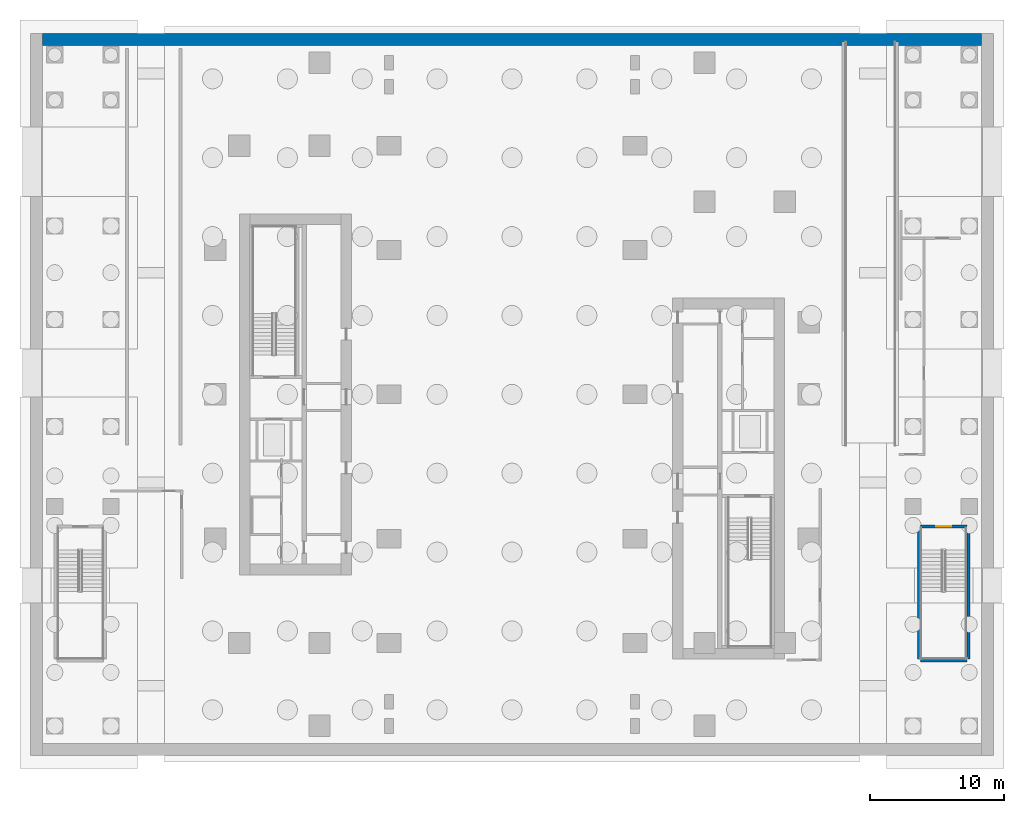
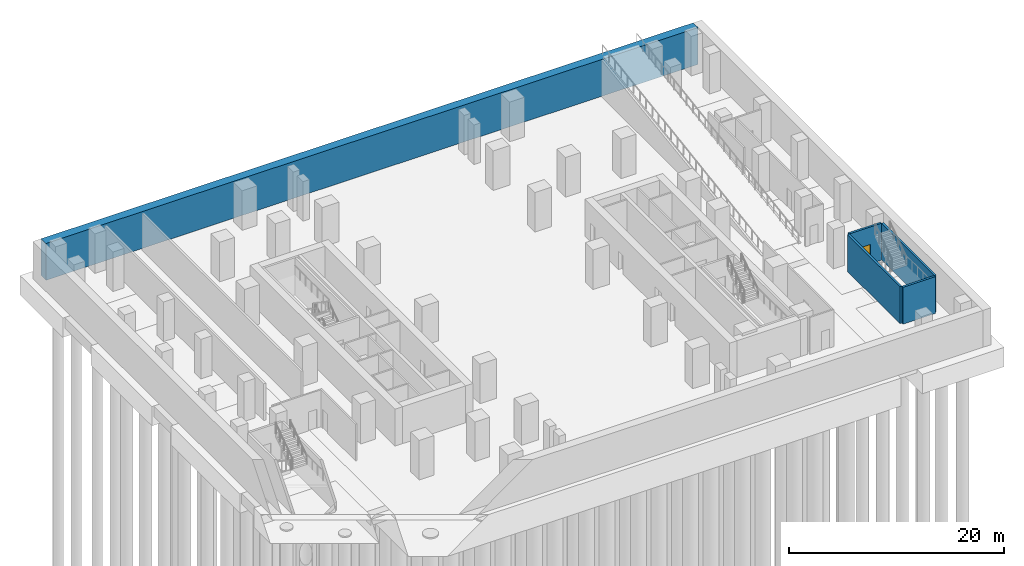
# One storey, part 6 of 15: 5 walls, 1 door, 1 opening.
"""IFC4 building model written with IfcOpenShell, lengths in metres."""

from ifc_helpers import new_model, si_unit, direction, frame, frame_2d, origin, place, context, subcontext, project, spatial, rectangle, extrude, material, layer, layer_set, type_object, element, fill, save


model = new_model("IFC4")

# Units and contexts
model_context = context("Model", 3, precision=1e-05, world=origin(), true_north=direction((0.0, 1.0)))
body_context = subcontext(model_context, "Body", "Model", "MODEL_VIEW")
ifc_project = project(units=[si_unit("LENGTHUNIT", "METRE"), si_unit("AREAUNIT", "SQUARE_METRE"), si_unit("VOLUMEUNIT", "CUBIC_METRE"), si_unit("PLANEANGLEUNIT", "RADIAN"), si_unit("MASSUNIT", "GRAM", prefix="KILO")], contexts=[model_context])

# Site, building, storey
site_placement = place(None, origin())
site = spatial("IfcSite", under=ifc_project, at=site_placement, CompositionType="ELEMENT")
building_placement = place(site_placement, origin())
building = spatial("IfcBuilding", under=site, at=building_placement, Name="Khairoan Windgate Tower", CompositionType="ELEMENT")
storey_placement = place(building_placement, frame((0.0, 0.0, -9.0)))
storey = spatial("IfcBuildingStorey", under=building, at=storey_placement, Name="B2", CompositionType="ELEMENT", Elevation=-9.0)

# Wall
ifc_material_1 = material(Name="Concrete C50/60", Category="concrete")
ifc_layer_1 = layer(ifc_material_1, 0.89990234375, Name="Concrete C50/60")
ifc_layer_set_1 = layer_set([ifc_layer_1], Name="Concrete C50/60")
wall_type_1 = type_object("IfcWallType", Name="Shear Wall DW-B1 900mm", PredefinedType="SHEAR", material=ifc_layer_set_1)
wall_1_placement = place(storey_placement, frame((-35.10009765625, 26.550048828125, 0.0), z_axis=(0.0, 0.0, 1.0), x_axis=(1.0, 0.0, 0.0)))
element("IfcWall", 1, at=wall_1_placement, inside=storey, type_object=wall_type_1, Name="North Diaphragm Wall B2", PredefinedType="SHEAR", context=body_context, shape_type="SweptSolid", body=[
    extrude(rectangle(XDim=70.2001953125, YDim=0.89990234375, at=frame_2d((35.10009765625, 0.0))), origin(), (0.0, 0.0, 1.0), 4.199951171875),
])

# Wall, opening, door
ifc_material_2 = material(Name="Concrete C50/60", Category="concrete")
ifc_layer_2 = layer(ifc_material_2, 0.219970703125, Name="Concrete C50/60")
ifc_layer_set_2 = layer_set([ifc_layer_2], Name="Concrete C50/60")
wall_type_2 = type_object("IfcWallType", Name="Shear Wall SW-ST 220mm", PredefinedType="SHEAR", material=ifc_layer_set_2)
wall_2_placement = place(storey_placement, frame((34.02001953125, -9.889892578125, 0.0), z_axis=(0.0, 0.0, 1.0), x_axis=(-1.0, 0.0, 0.0)))
wall_2 = element("IfcWall", 2, at=wall_2_placement, inside=storey, type_object=wall_type_2, Name="B2 ST3 North Bearing Wall", PredefinedType="SHEAR", context=body_context, shape_type="SweptSolid", body=[
    extrude(rectangle(XDim=3.469970703125, YDim=0.219970703125, at=frame_2d((1.73486328125, 0.0))), origin(), (0.0, 0.0, 1.0), 4.199951171875),
])
opening_placement = place(wall_2_placement, frame((1.179931640625, 0.0, 0.0)))
opening = element("IfcOpeningElement", 3, at=opening_placement, cuts=wall_2, Name="Opening FD-ST", PredefinedType="OPENING", context=body_context, shape_type="SweptSolid", body=[
    extrude(rectangle(XDim=1.10009765625, YDim=2.199951171875, at=frame_2d((0.550048828125, 1.10009765625))), frame((0.0, 0.119873046875, 0.0), z_axis=(0.0, -1.0, 0.0), x_axis=(1.0, 0.0, 0.0)), (0.0, 0.0, 1.0), 0.239990234375),
])
ifc_material_3 = material(Name="Steel S355", Category="steel")
door_type = type_object("IfcDoorType", Name="Smokeproof Stair Fire Door FD-ST 1100x2200", OperationType="NOTDEFINED", PredefinedType="DOOR", material=ifc_material_3)
door_placement = place(opening_placement, origin())
door = element("IfcDoor", 4, at=door_placement, inside=storey, type_object=door_type, Name="B2 Stair ST3 Fire Door", OperationType="SINGLE_SWING_LEFT", OverallHeight=2.199951171875, OverallWidth=1.10009765625, PredefinedType="DOOR", context=body_context, shape_type="SweptSolid", body=[
    extrude(rectangle(XDim=1.10009765625, YDim=2.199951171875, at=frame_2d((0.550048828125, 1.10009765625))), frame((0.0, 0.02490234375, 0.0), z_axis=(0.0, -1.0, 0.0), x_axis=(1.0, 0.0, 0.0)), (0.0, 0.0, 1.0), 0.050048828125),
])
fill(opening, door)

# Walls
wall_3_placement = place(storey_placement, frame((30.550048828125, -19.909912109375, 0.0), z_axis=(0.0, 0.0, 1.0), x_axis=(1.0, 0.0, 0.0)))
element("IfcWall", 5, at=wall_3_placement, inside=storey, type_object=wall_type_2, Name="B2 ST3 South Bearing Wall", PredefinedType="SHEAR", context=body_context, shape_type="SweptSolid", body=[
    extrude(rectangle(XDim=3.469970703125, YDim=0.219970703125, at=frame_2d((1.73486328125, 0.0))), origin(), (0.0, 0.0, 1.0), 4.199951171875),
])
for number, where, z_axis, x_axis, name in (
    (6, (30.43994140625, -19.800048828125, 0.0), (0.0, 0.0, 1.0), (0.0, 1.0, 0.0), "B2 ST3 West Bearing Wall"),
    (7, (34.1298828125, -19.800048828125, 0.0), (0.0, 0.0, 1.0), (0.0, 1.0, 0.0), "B2 ST3 East Bearing Wall"),
):
    element("IfcWall", number, at=place(storey_placement, frame(where, z_axis=z_axis, x_axis=x_axis)), inside=storey, type_object=wall_type_2, Name=name, PredefinedType="SHEAR", context=body_context, shape_type="SweptSolid", body=[
        extrude(rectangle(XDim=9.800048828125, YDim=0.219970703125, at=frame_2d((4.89990234375, 0.0))), origin(), (0.0, 0.0, 1.0), 4.199951171875),
    ])

save(model, "model.ifc")
